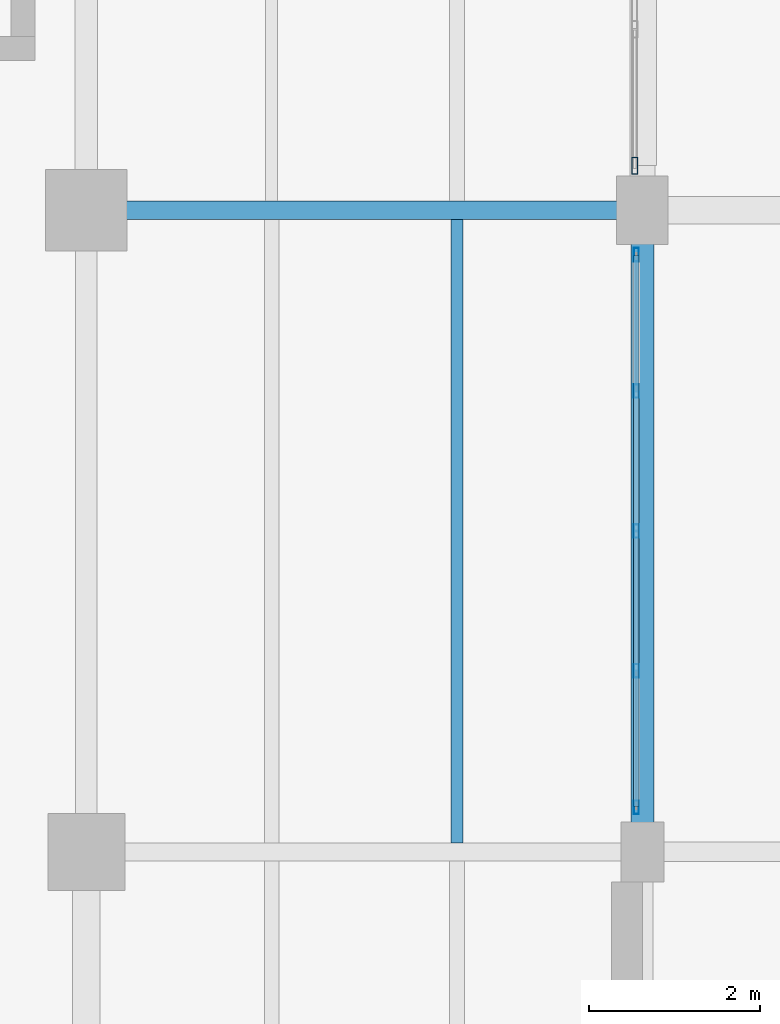
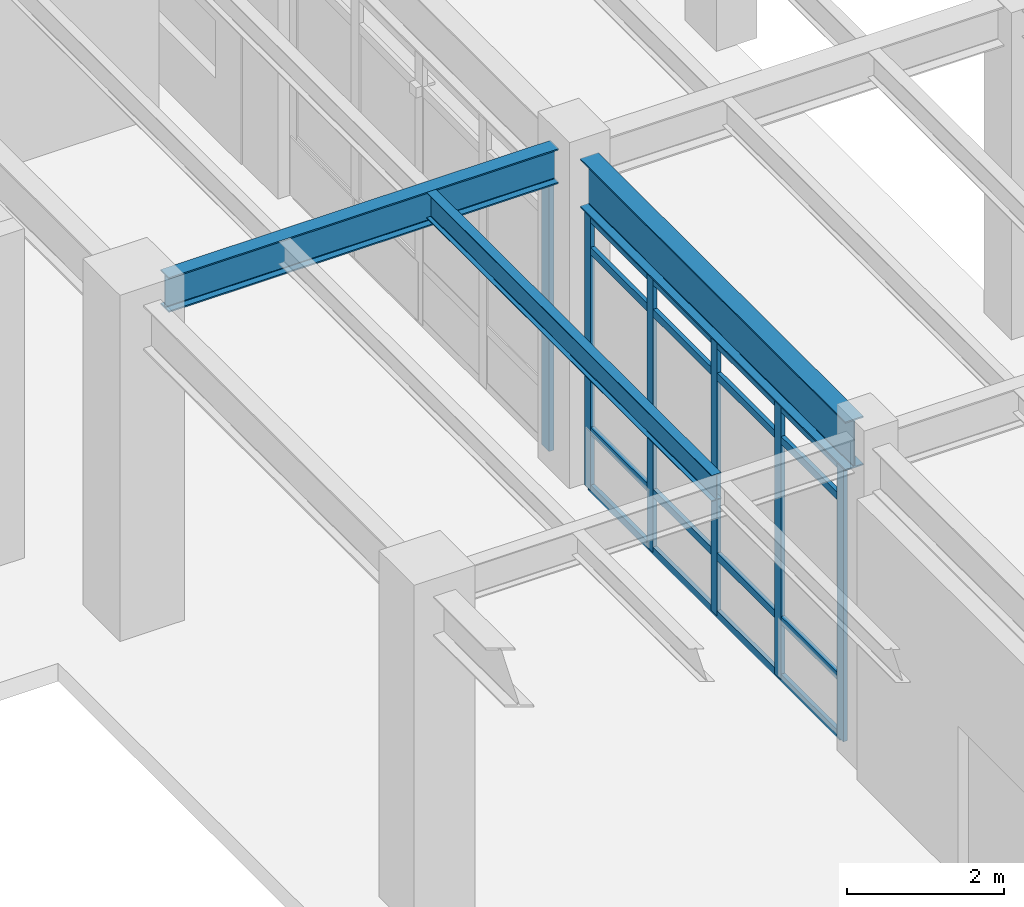
# One storey, part 114 of 203: 10 members, 3 beams, 2 elements without a shape of their own.
"""IFC4 building model written with IfcOpenShell, lengths in metres."""

from ifc_helpers import new_model, si_unit, direction, frame, origin, origin_2d, place, context, subcontext, project, spatial, hollow_rectangle, i_section, extrude, material, material_profile, profile_set, type_object, element, aggregate, save


model = new_model("IFC4")

# Units and contexts
model_context = context("Model", 3, precision=1e-05, world=origin(), true_north=direction((0.0, 1.0)))
body_context = subcontext(model_context, "Body", "Model", "MODEL_VIEW")
ifc_project = project(units=[si_unit("LENGTHUNIT", "METRE"), si_unit("AREAUNIT", "SQUARE_METRE"), si_unit("VOLUMEUNIT", "CUBIC_METRE"), si_unit("PLANEANGLEUNIT", "RADIAN"), si_unit("MASSUNIT", "GRAM", prefix="KILO"), si_unit("THERMODYNAMICTEMPERATUREUNIT", "KELVIN"), si_unit("POWERUNIT", "WATT")], contexts=[model_context])

# Site, building, storey
site_placement = place(None, origin())
site = spatial("IfcSite", under=ifc_project, at=site_placement, CompositionType="ELEMENT")
building_placement = place(site_placement, origin())
building = spatial("IfcBuilding", under=site, at=building_placement, Name="Tepalcoro Natatorium and Aquatics Centre", CompositionType="ELEMENT")
storey_placement = place(building_placement, origin())
storey = spatial("IfcBuildingStorey", under=building, at=storey_placement, Name="L00", CompositionType="ELEMENT", Elevation=0.0)

# Beams
ifc_material_1 = material(Name="Steel ASTM A992 Grade 50 (Fy 345 MPa)", Category="steel")
ifc_material_profile_1 = material_profile(ifc_material_1, i_section(OverallWidth=0.2119140625, OverallDepth=0.5439453125, WebThickness=0.012939453125, FlangeThickness=0.02099609375, FilletRadius=0.013916015625, at=origin_2d()), Name="W21X83")
ifc_profile_set_1 = profile_set([ifc_material_profile_1], Name="Steel ASTM A992 Grade 50 (Fy 345 MPa)")
beam_type_1 = type_object("IfcBeamType", Name="BM_W21x83", PredefinedType="BEAM", material=ifc_profile_set_1)
beam_1_placement = place(storey_placement, frame((125.4599609375, 51.5, 4.85302734375), z_axis=(1.0, 0.0, 0.0), x_axis=(0.0, 1.0, 0.0)))
element("IfcBeam", 1, at=beam_1_placement, inside=storey, type_object=beam_type_1, Name="V1 L00 Grid Girder X", PredefinedType="BEAM", context=body_context, shape_type="SweptSolid", body=[
    extrude(i_section(OverallWidth=0.2119140625, OverallDepth=0.5439453125, WebThickness=0.012939453125, FlangeThickness=0.02099609375, FilletRadius=0.013916015625, at=origin_2d()), origin(), (0.0, 0.0, 1.0), 5.755126953125),
])
ifc_material_profile_2 = material_profile(ifc_material_1, i_section(OverallWidth=0.26708984375, OverallDepth=0.761962890625, WebThickness=0.013916015625, FlangeThickness=0.02197265625, FilletRadius=0.013916015625, at=origin_2d()), Name="W30X116")
ifc_profile_set_2 = profile_set([ifc_material_profile_2], Name="Steel ASTM A992 Grade 50 (Fy 345 MPa)")
beam_type_2 = type_object("IfcBeamType", Name="BM_W30x116", PredefinedType="BEAM", material=ifc_profile_set_2)
beam_2_placement = place(storey_placement, frame((131.5, 44.3349609375, 4.7041015625), z_axis=(0.0, 1.0, 0.0), x_axis=(-1.0, 0.0, 0.0)))
element("IfcBeam", 2, at=beam_2_placement, inside=storey, type_object=beam_type_2, Name="V1 L00 Grid Girder Y", PredefinedType="BEAM", context=body_context, shape_type="SweptSolid", body=[
    extrude(i_section(OverallWidth=0.26708984375, OverallDepth=0.761962890625, WebThickness=0.013916015625, FlangeThickness=0.02197265625, FilletRadius=0.013916015625, at=origin_2d()), origin(), (0.0, 0.0, 1.0), 6.780029296875),
])

# Curtain wall, members
ifc_material_2 = material(Name="Bronze-Anodised Extruded Aluminium Alloy EN AW-6063 T6", Category="aluminium")
curtain_wall_type_1 = type_object("IfcCurtainWallType", Name="CW_V3_FOYER", PredefinedType="USERDEFINED", material=ifc_material_2)
curtain_wall_1_placement = place(storey_placement, origin())
curtain_wall_1 = element("IfcCurtainWall", 3, at=curtain_wall_1_placement, inside=storey, type_object=curtain_wall_type_1, Name="V1 L00 E Unitised Curtain Wall Bay 6", ObjectType="UNITISED STOREFRONT", PredefinedType="USERDEFINED")
ifc_material_profile_3 = material_profile(ifc_material_2, hollow_rectangle(XDim=0.06005859375, YDim=0.159912109375, WallThickness=0.00390625, at=origin_2d()), Name="AL60X160X4")
ifc_profile_set_3 = profile_set([ifc_material_profile_3], Name="Bronze-Anodised Extruded Aluminium Alloy EN AW-6063 T6")
member_type_1 = type_object("IfcMemberType", Name="CW_MUL_60x160", PredefinedType="MULLION", material=ifc_profile_set_3)
member_1_placement = place(storey_placement, frame((131.4287109375, 44.52001953125, 0.02001953125), z_axis=(0.0, 0.0, 1.0), x_axis=(1.0, 0.0, 0.0)))
member_1 = element("IfcMember", 4, at=member_1_placement, type_object=member_type_1, Name="CW_V3_FOYER Curtain Wall Mullion", PredefinedType="MULLION", context=body_context, shape_type="SweptSolid", body=[
    extrude(hollow_rectangle(XDim=0.06005859375, YDim=0.159912109375, WallThickness=0.00390625, at=origin_2d()), origin(), (0.0, 0.0, 1.0), 4.26806640625),
])
member_2_placement = place(storey_placement, frame((131.4287109375, 46.114990234375, 0.02001953125), z_axis=(0.0, 0.0, 1.0), x_axis=(1.0, 0.0, 0.0)))
member_2 = element("IfcMember", 5, at=member_2_placement, type_object=member_type_1, Name="CW_V3_FOYER Curtain Wall Mullion", PredefinedType="MULLION", context=body_context, shape_type="SweptSolid", body=[
    extrude(hollow_rectangle(XDim=0.06005859375, YDim=0.159912109375, WallThickness=0.00390625, at=origin_2d()), origin(), (0.0, 0.0, 1.0), 4.26806640625),
])
member_3_placement = place(storey_placement, frame((131.4287109375, 47.75, 0.02001953125), z_axis=(0.0, 0.0, 1.0), x_axis=(1.0, 0.0, 0.0)))
member_3 = element("IfcMember", 6, at=member_3_placement, type_object=member_type_1, Name="CW_V3_FOYER Curtain Wall Mullion", PredefinedType="MULLION", context=body_context, shape_type="SweptSolid", body=[
    extrude(hollow_rectangle(XDim=0.06005859375, YDim=0.159912109375, WallThickness=0.00390625, at=origin_2d()), origin(), (0.0, 0.0, 1.0), 4.26806640625),
])
member_4_placement = place(storey_placement, frame((131.4287109375, 49.385009765625, 0.02001953125), z_axis=(0.0, 0.0, 1.0), x_axis=(1.0, 0.0, 0.0)))
member_4 = element("IfcMember", 7, at=member_4_placement, type_object=member_type_1, Name="CW_V3_FOYER Curtain Wall Mullion", PredefinedType="MULLION", context=body_context, shape_type="SweptSolid", body=[
    extrude(hollow_rectangle(XDim=0.06005859375, YDim=0.159912109375, WallThickness=0.00390625, at=origin_2d()), origin(), (0.0, 0.0, 1.0), 4.26806640625),
])
member_5_placement = place(storey_placement, frame((131.4287109375, 50.97998046875, 0.02001953125), z_axis=(0.0, 0.0, 1.0), x_axis=(1.0, 0.0, 0.0)))
member_5 = element("IfcMember", 8, at=member_5_placement, type_object=member_type_1, Name="CW_V3_FOYER Curtain Wall Mullion", PredefinedType="MULLION", context=body_context, shape_type="SweptSolid", body=[
    extrude(hollow_rectangle(XDim=0.06005859375, YDim=0.159912109375, WallThickness=0.00390625, at=origin_2d()), origin(), (0.0, 0.0, 1.0), 4.26806640625),
])

# Curtain wall, member
curtain_wall_type_2 = type_object("IfcCurtainWallType", Name="CW_V4_VILLAGE", PredefinedType="USERDEFINED", material=ifc_material_2)
curtain_wall_2_placement = place(storey_placement, origin())
curtain_wall_2 = element("IfcCurtainWall", 9, at=curtain_wall_2_placement, inside=storey, type_object=curtain_wall_type_2, Name="V1 L00 E Unitised Curtain Wall Bay 7", ObjectType="UNITISED STOREFRONT", PredefinedType="USERDEFINED")
ifc_material_profile_4 = material_profile(ifc_material_2, hollow_rectangle(XDim=0.070068359375, YDim=0.199951171875, WallThickness=0.0048828125, at=origin_2d()), Name="AL70X200X5")
ifc_profile_set_4 = profile_set([ifc_material_profile_4], Name="Bronze-Anodised Extruded Aluminium Alloy EN AW-6063 T6")
member_type_2 = type_object("IfcMemberType", Name="CW_MUL_70x200", PredefinedType="MULLION", material=ifc_profile_set_4)
member_6_placement = place(storey_placement, frame((131.409912109375, 52.02001953125, 0.02001953125), z_axis=(0.0, 0.0, 1.0), x_axis=(1.0, 0.0, 0.0)))
member_6 = element("IfcMember", 10, at=member_6_placement, type_object=member_type_2, Name="CW_V4_VILLAGE Curtain Wall Mullion", PredefinedType="MULLION", context=body_context, shape_type="SweptSolid", body=[
    extrude(hollow_rectangle(XDim=0.070068359375, YDim=0.199951171875, WallThickness=0.0048828125, at=origin_2d()), origin(), (0.0, 0.0, 1.0), 4.18408203125),
])
aggregate(curtain_wall_2, [member_6])

# Member
ifc_material_profile_5 = material_profile(ifc_material_2, hollow_rectangle(XDim=0.06005859375, YDim=0.1201171875, WallThickness=0.00390625, at=origin_2d()), Name="AL60X120X4")
ifc_profile_set_5 = profile_set([ifc_material_profile_5], Name="Bronze-Anodised Extruded Aluminium Alloy EN AW-6063 T6")
member_type_3 = type_object("IfcMemberType", Name="CW_TRN_60x120", PredefinedType="USERDEFINED", material=ifc_profile_set_5)
member_7_placement = place(storey_placement, frame((131.4287109375, 44.530029296875, 0.050048828125), z_axis=(0.0, 1.0, 0.0), x_axis=(-1.0, 0.0, 0.0)))
member_7 = element("IfcMember", 11, at=member_7_placement, type_object=member_type_3, Name="CW_V3_FOYER Curtain Wall Transom", ObjectType="TRANSOM", PredefinedType="USERDEFINED", context=body_context, shape_type="SweptSolid", body=[
    extrude(hollow_rectangle(XDim=0.06005859375, YDim=0.1201171875, WallThickness=0.00390625, at=origin_2d()), origin(), (0.0, 0.0, 1.0), 6.43994140625),
])

member_8_placement = place(storey_placement, frame((131.4287109375, 44.530029296875, 0.949951171875), z_axis=(0.0, 1.0, 0.0), x_axis=(-1.0, 0.0, 0.0)))
member_8 = element("IfcMember", 12, at=member_8_placement, type_object=member_type_3, Name="CW_V3_FOYER Curtain Wall Transom", ObjectType="TRANSOM", PredefinedType="USERDEFINED", context=body_context, shape_type="SweptSolid", body=[
    extrude(hollow_rectangle(XDim=0.06005859375, YDim=0.1201171875, WallThickness=0.00390625, at=origin_2d()), origin(), (0.0, 0.0, 1.0), 6.43994140625),
])

member_9_placement = place(storey_placement, frame((131.4287109375, 44.530029296875, 3.758056640625), z_axis=(0.0, 1.0, 0.0), x_axis=(-1.0, 0.0, 0.0)))
member_9 = element("IfcMember", 13, at=member_9_placement, type_object=member_type_3, Name="CW_V3_FOYER Curtain Wall Transom", ObjectType="TRANSOM", PredefinedType="USERDEFINED", context=body_context, shape_type="SweptSolid", body=[
    extrude(hollow_rectangle(XDim=0.06005859375, YDim=0.1201171875, WallThickness=0.00390625, at=origin_2d()), origin(), (0.0, 0.0, 1.0), 6.43994140625),
])

member_10_placement = place(storey_placement, frame((131.4287109375, 44.530029296875, 4.258056640625), z_axis=(0.0, 1.0, 0.0), x_axis=(-1.0, 0.0, 0.0)))
member_10 = element("IfcMember", 14, at=member_10_placement, type_object=member_type_3, Name="CW_V3_FOYER Curtain Wall Transom", ObjectType="TRANSOM", PredefinedType="USERDEFINED", context=body_context, shape_type="SweptSolid", body=[
    extrude(hollow_rectangle(XDim=0.06005859375, YDim=0.1201171875, WallThickness=0.00390625, at=origin_2d()), origin(), (0.0, 0.0, 1.0), 6.43994140625),
])

aggregate(curtain_wall_1, [member_1, member_2, member_3, member_4, member_5, member_7, member_8, member_9, member_10])

# Beam
ifc_material_profile_6 = material_profile(ifc_material_1, i_section(OverallWidth=0.139892578125, OverallDepth=0.404052734375, WebThickness=0.007080078125, FlangeThickness=0.010986328125, FilletRadius=0.013916015625, at=origin_2d()), Name="W16X31")
ifc_profile_set_6 = profile_set([ifc_material_profile_6], Name="Steel ASTM A992 Grade 50 (Fy 345 MPa)")
beam_type_3 = type_object("IfcBeamType", Name="JS_W16x31", PredefinedType="JOIST", material=ifc_profile_set_6)
beam_3_placement = place(storey_placement, frame((129.333251953125, 44.10498046875, 4.923095703125), z_axis=(0.0, 1.0, 0.0), x_axis=(-1.0, 0.0, 0.0)))
element("IfcBeam", 15, at=beam_3_placement, inside=storey, type_object=beam_type_3, Name="V1 L00 Floor Joist", PredefinedType="JOIST", context=body_context, shape_type="SweptSolid", body=[
    extrude(i_section(OverallWidth=0.139892578125, OverallDepth=0.404052734375, WebThickness=0.007080078125, FlangeThickness=0.010986328125, FilletRadius=0.013916015625, at=origin_2d()), origin(), (0.0, 0.0, 1.0), 7.2890625),
])

save(model, "model.ifc")
